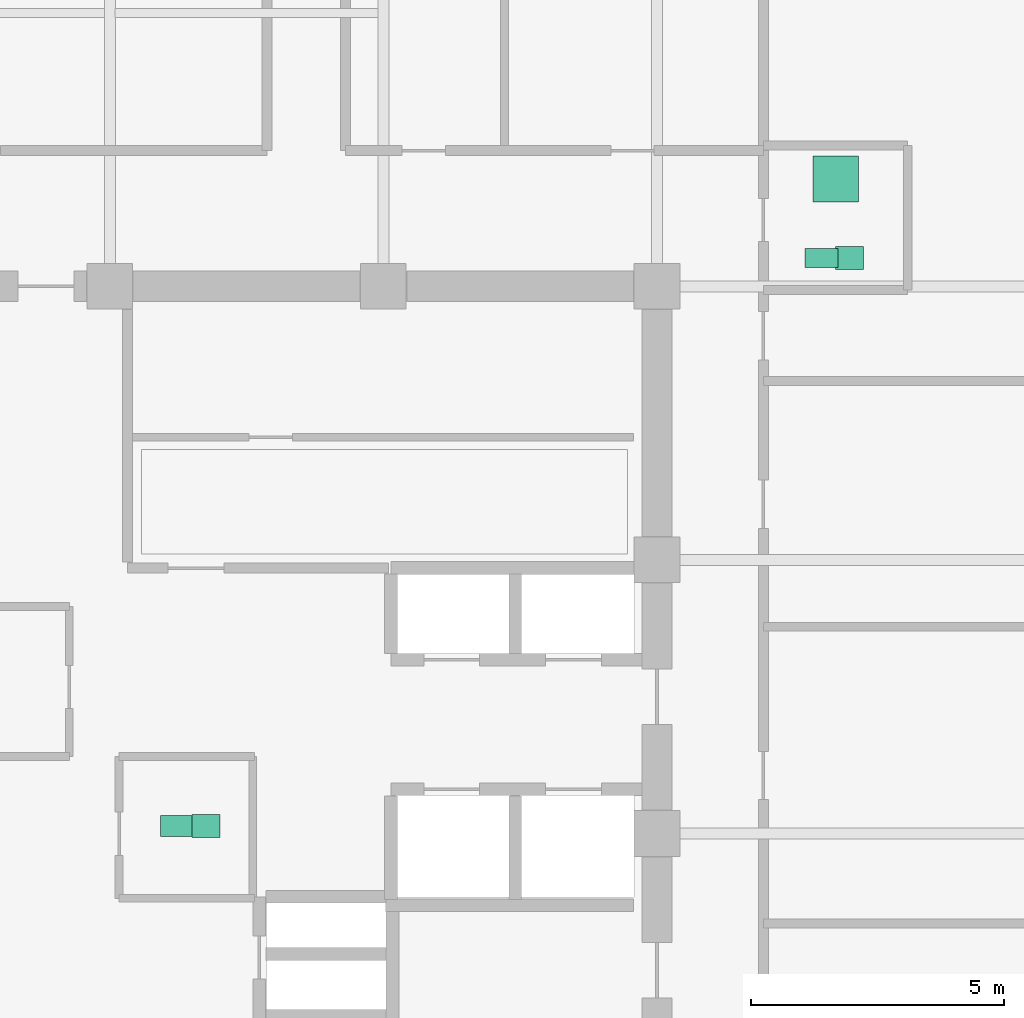
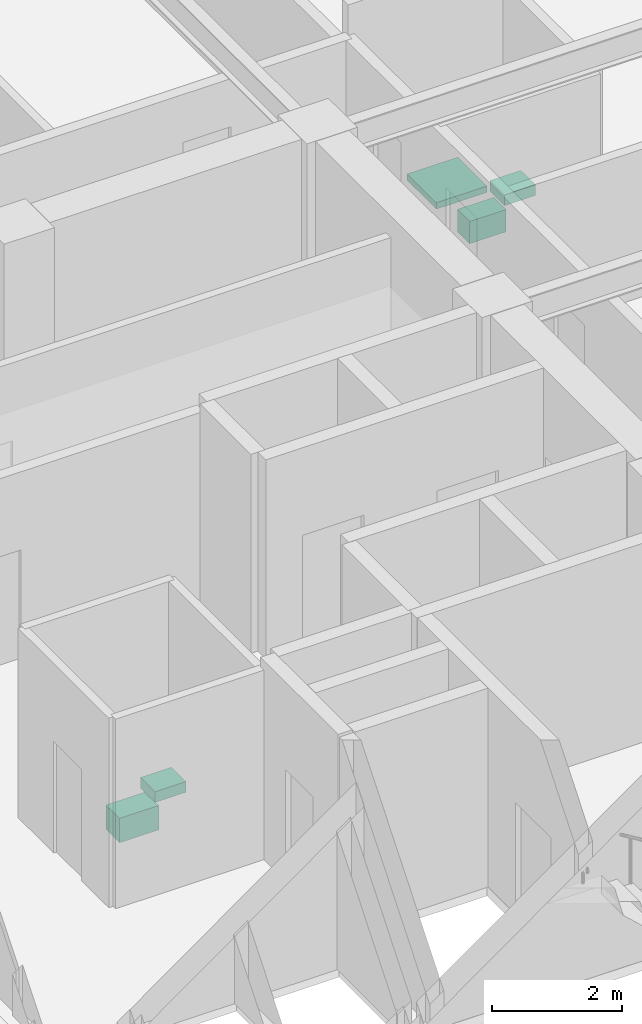
# One storey, part 32 of 32: 5 sanitary terminals.
"""IFC4 building model written with IfcOpenShell, lengths in metres."""

from ifc_helpers import new_model, si_unit, direction, frame, origin, origin_2d, place, context, subcontext, project, spatial, rectangle, extrude, material, type_object, element, save


model = new_model("IFC4")

# Units and contexts
model_context = context("Model", 3, precision=1e-05, world=origin(), true_north=direction((0.0, 1.0)))
body_context = subcontext(model_context, "Body", "Model", "MODEL_VIEW")
ifc_project = project(units=[si_unit("LENGTHUNIT", "METRE"), si_unit("AREAUNIT", "SQUARE_METRE"), si_unit("VOLUMEUNIT", "CUBIC_METRE"), si_unit("PLANEANGLEUNIT", "RADIAN"), si_unit("MASSUNIT", "GRAM", prefix="KILO")], contexts=[model_context])

# Site, building, storey
site_placement = place(None, origin())
site = spatial("IfcSite", under=ifc_project, at=site_placement, CompositionType="ELEMENT")
building_placement = place(site_placement, origin())
building = spatial("IfcBuilding", under=site, at=building_placement, Name="Surkhivell Harbour Commons", CompositionType="ELEMENT")
storey_placement = place(building_placement, frame((0.0, 0.0, 197.25)))
storey = spatial("IfcBuildingStorey", under=building, at=storey_placement, Name="L51", CompositionType="ELEMENT", Elevation=197.25)

# Sanitary terminals
ifc_material_1 = material(Name="Vitreous china washbasin", Category="other")
sanitary_terminal_type_1 = type_object("IfcSanitaryTerminalType", Name="SAN-BSN", PredefinedType="WASHHANDBASIN", material=ifc_material_1)
for number, where, z_axis, x_axis, name in (
    (1, (1.89990234375, 0.14990234375, 0.72021484375), (0.0, 0.0, 1.0), (1.0, 0.0, 0.0), "L51 Core Accessible WC Washbasin"),
    (2, (14.60009765625, 11.360107421875, 0.72021484375), (0.0, 0.0, 1.0), (1.0, 0.0, 0.0), "L51 East Communal Bathroom WC Washbasin"),
):
    element("IfcSanitaryTerminal", number, at=place(storey_placement, frame(where, z_axis=z_axis, x_axis=x_axis)), inside=storey, type_object=sanitary_terminal_type_1, Name=name, PredefinedType="WASHHANDBASIN", context=body_context, shape_type="SweptSolid", body=[
        extrude(rectangle(XDim=0.550048828125, YDim=0.449951171875, at=origin_2d()), origin(), (0.0, 0.0, 1.0), 0.199951171875),
    ])
ifc_material_2 = material(Name="Glazed porcelain shower tray", Category="other")
sanitary_terminal_type_2 = type_object("IfcSanitaryTerminalType", Name="SAN-SHW", PredefinedType="SHOWER", material=ifc_material_2)
sanitary_terminal_1_placement = place(storey_placement, frame((14.330078125, 12.919921875, 0.0), z_axis=(0.0, 0.0, 1.0), x_axis=(1.0, 0.0, 0.0)))
element("IfcSanitaryTerminal", 3, at=sanitary_terminal_1_placement, inside=storey, type_object=sanitary_terminal_type_2, Name="L51 East Communal Shower Tray", PredefinedType="SHOWER", context=body_context, shape_type="SweptSolid", body=[
    extrude(rectangle(XDim=0.89990234375, YDim=0.89990234375, at=origin_2d()), origin(), (0.0, 0.0, 1.0), 0.1201171875),
])
ifc_material_3 = material(Name="Vitreous china sanitaryware", Category="other")
sanitary_terminal_type_3 = type_object("IfcSanitaryTerminalType", Name="SAN-WC-ACC", PredefinedType="TOILETPAN", material=ifc_material_3)
sanitary_terminal_2_placement = place(storey_placement, frame((1.35009765625, 0.14990234375, 0.169921875), z_axis=(0.0, 0.0, 1.0), x_axis=(1.0, 0.0, 0.0)))
element("IfcSanitaryTerminal", 4, at=sanitary_terminal_2_placement, inside=storey, type_object=sanitary_terminal_type_3, Name="L51 Core Accessible WC", PredefinedType="TOILETPAN", context=body_context, shape_type="SweptSolid", body=[
    extrude(rectangle(XDim=0.699951171875, YDim=0.419921875, at=origin_2d()), origin(), (0.0, 0.0, 1.0), 0.4599609375),
])
sanitary_terminal_type_4 = type_object("IfcSanitaryTerminalType", Name="SAN-WC-STD", PredefinedType="TOILETPAN", material=ifc_material_3)
sanitary_terminal_3_placement = place(storey_placement, frame((14.050048828125, 11.360107421875, 0.18994140625), z_axis=(0.0, 0.0, 1.0), x_axis=(1.0, 0.0, 0.0)))
element("IfcSanitaryTerminal", 5, at=sanitary_terminal_3_placement, inside=storey, type_object=sanitary_terminal_type_4, Name="L51 East Communal Bathroom WC", PredefinedType="TOILETPAN", context=body_context, shape_type="SweptSolid", body=[
    extrude(rectangle(XDim=0.64990234375, YDim=0.3798828125, at=origin_2d()), origin(), (0.0, 0.0, 1.0), 0.419921875),
])

save(model, "model.ifc")
